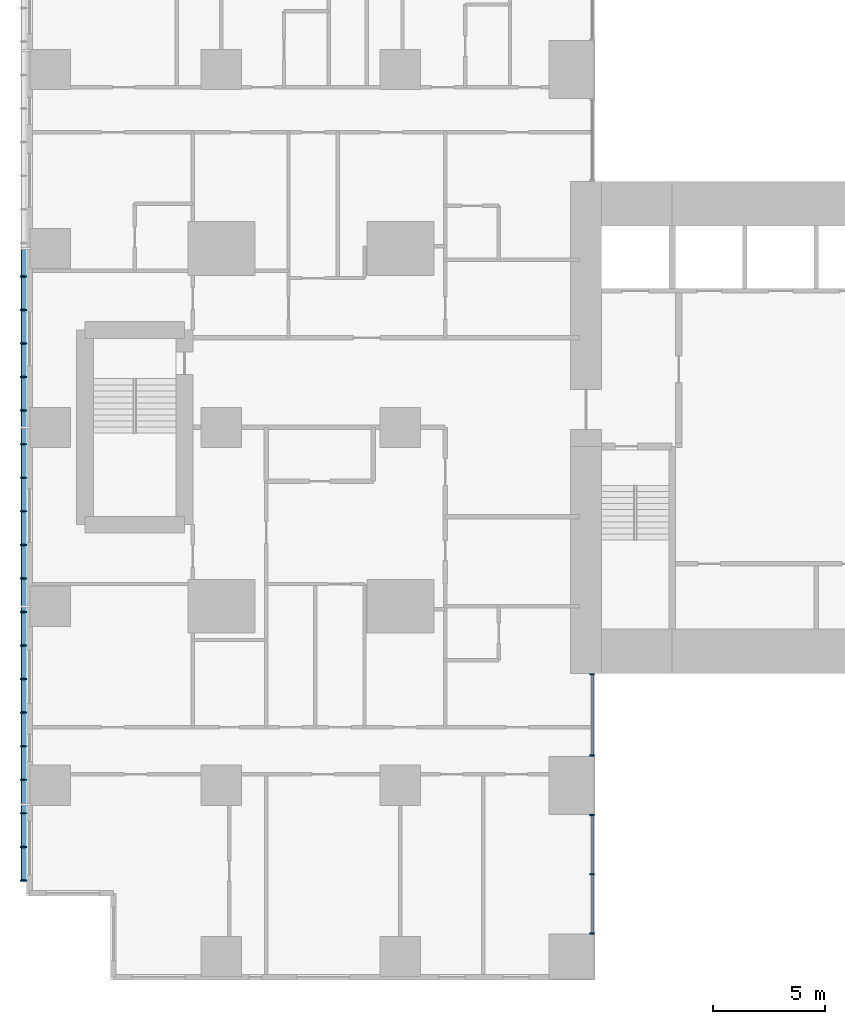
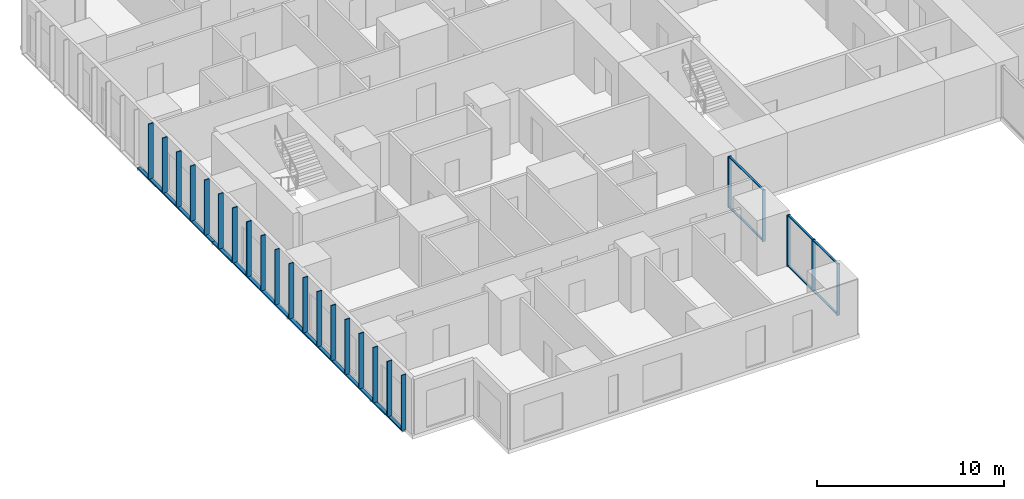
# One storey, part 2 of 20: 33 members, 2 elements without a shape of their own.
"""IFC4 building model written with IfcOpenShell, lengths in metres."""

from ifc_helpers import new_model, si_unit, direction, frame, origin, origin_2d, place, context, subcontext, project, spatial, rectangle, hollow_rectangle, extrude, material, layer, layer_set, material_profile, profile_set, type_object, element, aggregate, save


model = new_model("IFC4")

# Units and contexts
model_context = context("Model", 3, precision=1e-05, world=origin(), true_north=direction((0.0, 1.0)))
body_context = subcontext(model_context, "Body", "Model", "MODEL_VIEW")
ifc_project = project(units=[si_unit("LENGTHUNIT", "METRE"), si_unit("AREAUNIT", "SQUARE_METRE"), si_unit("VOLUMEUNIT", "CUBIC_METRE"), si_unit("PLANEANGLEUNIT", "RADIAN"), si_unit("MASSUNIT", "GRAM", prefix="KILO")], contexts=[model_context])

# Site, building, storey
site_placement = place(None, origin())
site = spatial("IfcSite", under=ifc_project, at=site_placement, CompositionType="ELEMENT")
building_placement = place(site_placement, origin())
building = spatial("IfcBuilding", under=site, at=building_placement, Name="Cleftline Residences", CompositionType="ELEMENT")
storey_placement = place(building_placement, frame((0.0, 0.0, 203.800048828125)))
storey = spatial("IfcBuildingStorey", under=building, at=storey_placement, Name="L53", CompositionType="ELEMENT", Elevation=203.800048828125)

# Members
ifc_material_1 = material(Name="Steel S355, hot-dip galvanised", Category="steel")
ifc_material_profile_1 = material_profile(ifc_material_1, hollow_rectangle(XDim=0.10009765625, YDim=0.199951171875, WallThickness=0.008056640625, InnerFilletRadius=0.008056640625, OuterFilletRadius=0.011962890625, at=origin_2d()))
ifc_profile_set_1 = profile_set([ifc_material_profile_1], Name="Steel S355, hot-dip galvanised")
member_type_1 = type_object("IfcMemberType", Name="BAGUETTE CARRIER RHS 200X100X8", PredefinedType="USERDEFINED", material=ifc_profile_set_1)
for number, where, z_axis, x_axis, name in (
    (1, (-0.85009765625, 32.0, -0.050048828125), (0.0, -1.0, 0.0), (0.0, 0.0, 1.0), "Baguette carrier"),
    (2, (-0.85009765625, 24.0, -0.050048828125), (0.0, -1.0, 0.0), (0.0, 0.0, 1.0), "Baguette carrier"),
):
    element("IfcMember", number, at=place(storey_placement, frame(where, z_axis=z_axis, x_axis=x_axis)), inside=storey, type_object=member_type_1, Name=name, ObjectType="BAGUETTE CARRIER", PredefinedType="USERDEFINED", context=body_context, shape_type="SweptSolid", body=[
        extrude(hollow_rectangle(XDim=0.10009765625, YDim=0.199951171875, WallThickness=0.008056640625, InnerFilletRadius=0.008056640625, OuterFilletRadius=0.011962890625, at=origin_2d()), origin(), (0.0, 0.0, 1.0), 8.0),
    ])
member_1_placement = place(storey_placement, frame((-0.85009765625, 16.0, -0.050048828125), z_axis=(0.0, -1.0, 0.0), x_axis=(0.0, 0.0, 1.0)))
element("IfcMember", 3, at=member_1_placement, inside=storey, type_object=member_type_1, Name="Baguette carrier", ObjectType="BAGUETTE CARRIER", PredefinedType="USERDEFINED", context=body_context, shape_type="SweptSolid", body=[
    extrude(hollow_rectangle(XDim=0.10009765625, YDim=0.199951171875, WallThickness=0.008056640625, InnerFilletRadius=0.008056640625, OuterFilletRadius=0.011962890625, at=origin_2d()), origin(), (0.0, 0.0, 1.0), 12.300048828125),
])

# Curtain wall, members
ifc_material_2 = material(Name="Aluminium framed curtain wall", Category="aluminium")
ifc_layer = layer(ifc_material_2, 0.199951171875)
ifc_layer_set = layer_set([ifc_layer], Name="CW1 CLEFT GLAZING")
curtain_wall_type = type_object("IfcCurtainWallType", Name="CW1 CLEFT GLAZING", PredefinedType="NOTDEFINED", material=ifc_layer_set)
curtain_wall_1_placement = place(storey_placement, origin())
curtain_wall_1 = element("IfcCurtainWall", 4, at=curtain_wall_1_placement, inside=storey, type_object=curtain_wall_type, Name="Curtain wall CW1", PredefinedType="NOTDEFINED")
ifc_material_3 = material(Name="Aluminium mullion", Category="aluminium")
ifc_material_profile_2 = material_profile(ifc_material_3, rectangle(XDim=0.199951171875, YDim=0.06005859375, at=origin_2d()))
ifc_profile_set_2 = profile_set([ifc_material_profile_2], Name="Aluminium mullion")
member_type_2 = type_object("IfcMemberType", Name="CW1 MULLION", PredefinedType="MULLION", material=ifc_profile_set_2)
member_2_placement = place(storey_placement, frame((24.574951171875, 1.3798828125, 0.0), z_axis=(0.0, 0.0, 1.0), x_axis=(-1.0, 0.0, 0.0)))
member_2 = element("IfcMember", 5, at=member_2_placement, type_object=member_type_2, Name="CW1 mullion 1", PredefinedType="MULLION", context=body_context, shape_type="SweptSolid", body=[
    extrude(rectangle(XDim=0.199951171875, YDim=0.06005859375, at=origin_2d()), origin(), (0.0, 0.0, 1.0), 3.349853515625),
])
member_3_placement = place(storey_placement, frame((24.574951171875, 4.02490234375, 0.0), z_axis=(0.0, 0.0, 1.0), x_axis=(-1.0, 0.0, 0.0)))
member_3 = element("IfcMember", 6, at=member_3_placement, type_object=member_type_2, Name="CW1 mullion 2", PredefinedType="MULLION", context=body_context, shape_type="SweptSolid", body=[
    extrude(rectangle(XDim=0.199951171875, YDim=0.06005859375, at=origin_2d()), origin(), (0.0, 0.0, 1.0), 3.349853515625),
])
member_4_placement = place(storey_placement, frame((24.574951171875, 6.669921875, 0.0), z_axis=(0.0, 0.0, 1.0), x_axis=(-1.0, 0.0, 0.0)))
member_4 = element("IfcMember", 7, at=member_4_placement, type_object=member_type_2, Name="CW1 mullion 3", PredefinedType="MULLION", context=body_context, shape_type="SweptSolid", body=[
    extrude(rectangle(XDim=0.199951171875, YDim=0.06005859375, at=origin_2d()), origin(), (0.0, 0.0, 1.0), 3.349853515625),
])

curtain_wall_2_placement = place(storey_placement, origin())
curtain_wall_2 = element("IfcCurtainWall", 8, at=curtain_wall_2_placement, inside=storey, type_object=curtain_wall_type, Name="Curtain wall CW1", PredefinedType="NOTDEFINED")
member_5_placement = place(storey_placement, frame((24.574951171875, 9.330078125, 0.0), z_axis=(0.0, 0.0, 1.0), x_axis=(-1.0, 0.0, 0.0)))
member_5 = element("IfcMember", 9, at=member_5_placement, type_object=member_type_2, Name="CW1 mullion 1", PredefinedType="MULLION", context=body_context, shape_type="SweptSolid", body=[
    extrude(rectangle(XDim=0.199951171875, YDim=0.06005859375, at=origin_2d()), origin(), (0.0, 0.0, 1.0), 3.349853515625),
])
member_6_placement = place(storey_placement, frame((24.574951171875, 12.969970703125, 0.0), z_axis=(0.0, 0.0, 1.0), x_axis=(-1.0, 0.0, 0.0)))
member_6 = element("IfcMember", 10, at=member_6_placement, type_object=member_type_2, Name="CW1 mullion 2", PredefinedType="MULLION", context=body_context, shape_type="SweptSolid", body=[
    extrude(rectangle(XDim=0.199951171875, YDim=0.06005859375, at=origin_2d()), origin(), (0.0, 0.0, 1.0), 3.349853515625),
])

# Member
ifc_material_4 = material(Name="Aluminium transom", Category="aluminium")
ifc_material_profile_3 = material_profile(ifc_material_4, rectangle(XDim=0.1201171875, YDim=0.06005859375, at=origin_2d()))
ifc_profile_set_3 = profile_set([ifc_material_profile_3], Name="Aluminium transom")
member_type_3 = type_object("IfcMemberType", Name="CW1 TRANSOM", PredefinedType="USERDEFINED", material=ifc_profile_set_3)
member_7_placement = place(storey_placement, frame((24.574951171875, 1.409912109375, 0.030029296875), z_axis=(0.0, 1.0, 0.0), x_axis=(-1.0, 0.0, 0.0)))
member_7 = element("IfcMember", 11, at=member_7_placement, type_object=member_type_3, Name="CW1 transom 1.1", ObjectType="TRANSOM", PredefinedType="USERDEFINED", context=body_context, shape_type="SweptSolid", body=[
    extrude(rectangle(XDim=0.1201171875, YDim=0.06005859375, at=origin_2d()), origin(), (0.0, 0.0, 1.0), 2.585205078125),
])

member_8_placement = place(storey_placement, frame((24.574951171875, 1.409912109375, 3.320068359375), z_axis=(0.0, 1.0, 0.0), x_axis=(-1.0, 0.0, 0.0)))
member_8 = element("IfcMember", 12, at=member_8_placement, type_object=member_type_3, Name="CW1 transom 1.2", ObjectType="TRANSOM", PredefinedType="USERDEFINED", context=body_context, shape_type="SweptSolid", body=[
    extrude(rectangle(XDim=0.1201171875, YDim=0.06005859375, at=origin_2d()), origin(), (0.0, 0.0, 1.0), 2.585205078125),
])

member_9_placement = place(storey_placement, frame((24.574951171875, 4.054931640625, 0.030029296875), z_axis=(0.0, 1.0, 0.0), x_axis=(-1.0, 0.0, 0.0)))
member_9 = element("IfcMember", 13, at=member_9_placement, type_object=member_type_3, Name="CW1 transom 2.1", ObjectType="TRANSOM", PredefinedType="USERDEFINED", context=body_context, shape_type="SweptSolid", body=[
    extrude(rectangle(XDim=0.1201171875, YDim=0.06005859375, at=origin_2d()), origin(), (0.0, 0.0, 1.0), 2.5849609375),
])

member_10_placement = place(storey_placement, frame((24.574951171875, 4.054931640625, 3.320068359375), z_axis=(0.0, 1.0, 0.0), x_axis=(-1.0, 0.0, 0.0)))
member_10 = element("IfcMember", 14, at=member_10_placement, type_object=member_type_3, Name="CW1 transom 2.2", ObjectType="TRANSOM", PredefinedType="USERDEFINED", context=body_context, shape_type="SweptSolid", body=[
    extrude(rectangle(XDim=0.1201171875, YDim=0.06005859375, at=origin_2d()), origin(), (0.0, 0.0, 1.0), 2.5849609375),
])

aggregate(curtain_wall_1, [member_2, member_3, member_4, member_7, member_8, member_9, member_10])

member_11_placement = place(storey_placement, frame((24.574951171875, 9.360107421875, 0.030029296875), z_axis=(0.0, 1.0, 0.0), x_axis=(-1.0, 0.0, 0.0)))
member_11 = element("IfcMember", 15, at=member_11_placement, type_object=member_type_3, Name="CW1 transom 1.1", ObjectType="TRANSOM", PredefinedType="USERDEFINED", context=body_context, shape_type="SweptSolid", body=[
    extrude(rectangle(XDim=0.1201171875, YDim=0.06005859375, at=origin_2d()), origin(), (0.0, 0.0, 1.0), 3.579833984375),
])

member_12_placement = place(storey_placement, frame((24.574951171875, 9.360107421875, 3.320068359375), z_axis=(0.0, 1.0, 0.0), x_axis=(-1.0, 0.0, 0.0)))
member_12 = element("IfcMember", 16, at=member_12_placement, type_object=member_type_3, Name="CW1 transom 1.2", ObjectType="TRANSOM", PredefinedType="USERDEFINED", context=body_context, shape_type="SweptSolid", body=[
    extrude(rectangle(XDim=0.1201171875, YDim=0.06005859375, at=origin_2d()), origin(), (0.0, 0.0, 1.0), 3.579833984375),
])

aggregate(curtain_wall_2, [member_5, member_6, member_11, member_12])

# Members
ifc_material_5 = material(Name="Extruded terracotta", Category="masonry")
ifc_material_profile_4 = material_profile(ifc_material_5, rectangle(XDim=0.06005859375, YDim=0.300048828125, at=origin_2d()))
ifc_profile_set_4 = profile_set([ifc_material_profile_4], Name="Extruded terracotta")
member_type_4 = type_object("IfcMemberType", Name="TERRACOTTA BAGUETTE 60X300", PredefinedType="USERDEFINED", material=ifc_profile_set_4)
for number, where, z_axis, x_axis, name in (
    (17, (-0.85009765625, 30.75, 0.0), (0.0, 0.0, 1.0), (0.0, 1.0, 0.0), "Terracotta baguette"),
    (18, (-0.85009765625, 29.25, 0.0), (0.0, 0.0, 1.0), (0.0, 1.0, 0.0), "Terracotta baguette"),
    (19, (-0.85009765625, 27.75, 0.0), (0.0, 0.0, 1.0), (0.0, 1.0, 0.0), "Terracotta baguette"),
    (20, (-0.85009765625, 26.25, 0.0), (0.0, 0.0, 1.0), (0.0, 1.0, 0.0), "Terracotta baguette"),
    (21, (-0.85009765625, 24.75, 0.0), (0.0, 0.0, 1.0), (0.0, 1.0, 0.0), "Terracotta baguette"),
    (22, (-0.85009765625, 23.25, 0.0), (0.0, 0.0, 1.0), (0.0, 1.0, 0.0), "Terracotta baguette"),
    (23, (-0.85009765625, 21.75, 0.0), (0.0, 0.0, 1.0), (0.0, 1.0, 0.0), "Terracotta baguette"),
    (24, (-0.85009765625, 20.25, 0.0), (0.0, 0.0, 1.0), (0.0, 1.0, 0.0), "Terracotta baguette"),
    (25, (-0.85009765625, 18.75, 0.0), (0.0, 0.0, 1.0), (0.0, 1.0, 0.0), "Terracotta baguette"),
    (26, (-0.85009765625, 17.25, 0.0), (0.0, 0.0, 1.0), (0.0, 1.0, 0.0), "Terracotta baguette"),
    (27, (-0.85009765625, 15.75, 0.0), (0.0, 0.0, 1.0), (0.0, 1.0, 0.0), "Terracotta baguette"),
    (28, (-0.85009765625, 14.25, 0.0), (0.0, 0.0, 1.0), (0.0, 1.0, 0.0), "Terracotta baguette"),
    (29, (-0.85009765625, 12.75, 0.0), (0.0, 0.0, 1.0), (0.0, 1.0, 0.0), "Terracotta baguette"),
    (30, (-0.85009765625, 11.25, 0.0), (0.0, 0.0, 1.0), (0.0, 1.0, 0.0), "Terracotta baguette"),
    (31, (-0.85009765625, 9.75, 0.0), (0.0, 0.0, 1.0), (0.0, 1.0, 0.0), "Terracotta baguette"),
    (32, (-0.85009765625, 8.25, 0.0), (0.0, 0.0, 1.0), (0.0, 1.0, 0.0), "Terracotta baguette"),
    (33, (-0.85009765625, 6.75, 0.0), (0.0, 0.0, 1.0), (0.0, 1.0, 0.0), "Terracotta baguette"),
    (34, (-0.85009765625, 5.25, 0.0), (0.0, 0.0, 1.0), (0.0, 1.0, 0.0), "Terracotta baguette"),
    (35, (-0.85009765625, 3.75, 0.0), (0.0, 0.0, 1.0), (0.0, 1.0, 0.0), "Terracotta baguette"),
):
    element("IfcMember", number, at=place(storey_placement, frame(where, z_axis=z_axis, x_axis=x_axis)), inside=storey, type_object=member_type_4, Name=name, ObjectType="BAGUETTE", PredefinedType="USERDEFINED", context=body_context, shape_type="SweptSolid", body=[
        extrude(rectangle(XDim=0.06005859375, YDim=0.300048828125, at=origin_2d()), origin(), (0.0, 0.0, 1.0), 3.599853515625),
    ])

save(model, "model.ifc")
